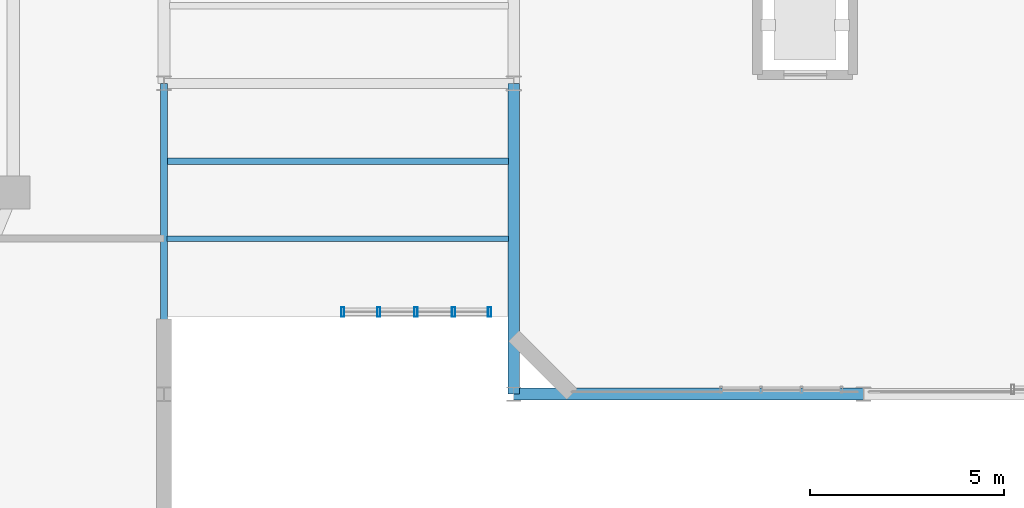
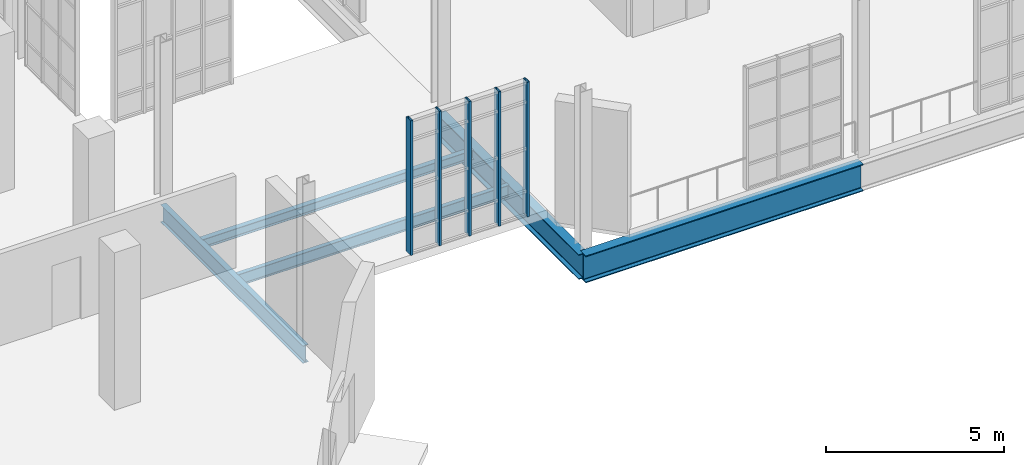
# One storey, part 41 of 189: 5 beams, 5 members, 1 element without a shape of its own.
"""IFC4 building model written with IfcOpenShell, lengths in metres."""

from ifc_helpers import new_model, si_unit, direction, frame, origin, origin_2d, place, context, subcontext, project, spatial, hollow_rectangle, i_section, extrude, material, layer, layer_set, material_profile, profile_set, type_object, element, aggregate, save


model = new_model("IFC4")

# Units and contexts
model_context = context("Model", 3, precision=1e-05, world=origin(), true_north=direction((0.0, 1.0)))
body_context = subcontext(model_context, "Body", "Model", "MODEL_VIEW")
ifc_project = project(units=[si_unit("LENGTHUNIT", "METRE"), si_unit("AREAUNIT", "SQUARE_METRE"), si_unit("VOLUMEUNIT", "CUBIC_METRE"), si_unit("PLANEANGLEUNIT", "RADIAN"), si_unit("MASSUNIT", "GRAM", prefix="KILO"), si_unit("THERMODYNAMICTEMPERATUREUNIT", "KELVIN"), si_unit("POWERUNIT", "WATT")], contexts=[model_context])

# Site, building, storey
site_placement = place(None, origin())
site = spatial("IfcSite", under=ifc_project, at=site_placement, CompositionType="ELEMENT")
building_placement = place(site_placement, origin())
building = spatial("IfcBuilding", under=site, at=building_placement, Name="Zelmaris Science Centre", CompositionType="ELEMENT")
storey_placement = place(building_placement, origin())
storey = spatial("IfcBuildingStorey", under=building, at=storey_placement, Name="L00", CompositionType="ELEMENT", Elevation=0.0)

# Curtain wall, members
ifc_material_1 = material(Name="Anodised architectural aluminium 6063-T6", Category="aluminium")
ifc_layer = layer(ifc_material_1, 0.18994140625, Name="Anodised architectural aluminium 6063-T6")
ifc_layer_set = layer_set([ifc_layer], Name="Anodised architectural aluminium 6063-T6")
curtain_wall_type = type_object("IfcCurtainWallType", Name="Curtain Wall CW-01", PredefinedType="USERDEFINED", material=ifc_layer_set)
curtain_wall_placement = place(storey_placement, origin())
curtain_wall = element("IfcCurtainWall", 1, at=curtain_wall_placement, inside=storey, type_object=curtain_wall_type, Name="L00 Unitised curtain wall 37", ObjectType="GLAZED CURTAIN WALL", PredefinedType="USERDEFINED")
ifc_material_profile_1 = material_profile(ifc_material_1, hollow_rectangle(XDim=0.080078125, YDim=0.25, WallThickness=0.0048828125, at=origin_2d()), Name="ALU-MUL-80X250")
ifc_profile_set_1 = profile_set([ifc_material_profile_1], Name="Anodised architectural aluminium 6063-T6")
member_type = type_object("IfcMemberType", Name="ALU-MUL-80X250", PredefinedType="MULLION", material=ifc_profile_set_1)
member_1_placement = place(storey_placement, frame((53.375732421875, 66.118896484375, -0.014892578125), z_axis=(0.0, 0.0, 1.0), x_axis=(-1.0, 0.0, 0.0)))
member_1 = element("IfcMember", 2, at=member_1_placement, type_object=member_type, Name="CW-01 mullion 1", PredefinedType="MULLION", context=body_context, shape_type="SweptSolid", body=[
    extrude(hollow_rectangle(XDim=0.080078125, YDim=0.25, WallThickness=0.0048828125, at=origin_2d()), origin(), (0.0, 0.0, 1.0), 4.614990234375),
])
member_2_placement = place(storey_placement, frame((52.44873046875, 66.118896484375, -0.014892578125), z_axis=(0.0, 0.0, 1.0), x_axis=(-1.0, 0.0, 0.0)))
member_2 = element("IfcMember", 3, at=member_2_placement, type_object=member_type, Name="CW-01 mullion 2", PredefinedType="MULLION", context=body_context, shape_type="SweptSolid", body=[
    extrude(hollow_rectangle(XDim=0.080078125, YDim=0.25, WallThickness=0.0048828125, at=origin_2d()), origin(), (0.0, 0.0, 1.0), 4.614990234375),
])
member_3_placement = place(storey_placement, frame((51.48583984375, 66.118896484375, -0.014892578125), z_axis=(0.0, 0.0, 1.0), x_axis=(-1.0, 0.0, 0.0)))
member_3 = element("IfcMember", 4, at=member_3_placement, type_object=member_type, Name="CW-01 mullion 3", PredefinedType="MULLION", context=body_context, shape_type="SweptSolid", body=[
    extrude(hollow_rectangle(XDim=0.080078125, YDim=0.25, WallThickness=0.0048828125, at=origin_2d()), origin(), (0.0, 0.0, 1.0), 4.614990234375),
])
member_4_placement = place(storey_placement, frame((50.52294921875, 66.118896484375, -0.014892578125), z_axis=(0.0, 0.0, 1.0), x_axis=(-1.0, 0.0, 0.0)))
member_4 = element("IfcMember", 5, at=member_4_placement, type_object=member_type, Name="CW-01 mullion 4", PredefinedType="MULLION", context=body_context, shape_type="SweptSolid", body=[
    extrude(hollow_rectangle(XDim=0.080078125, YDim=0.25, WallThickness=0.0048828125, at=origin_2d()), origin(), (0.0, 0.0, 1.0), 4.614990234375),
])
member_5_placement = place(storey_placement, frame((49.595947265625, 66.118896484375, -0.014892578125), z_axis=(0.0, 0.0, 1.0), x_axis=(-1.0, 0.0, 0.0)))
member_5 = element("IfcMember", 6, at=member_5_placement, type_object=member_type, Name="CW-01 mullion 5", PredefinedType="MULLION", context=body_context, shape_type="SweptSolid", body=[
    extrude(hollow_rectangle(XDim=0.080078125, YDim=0.25, WallThickness=0.0048828125, at=origin_2d()), origin(), (0.0, 0.0, 1.0), 4.614990234375),
])
aggregate(curtain_wall, [member_1, member_2, member_3, member_4, member_5])

# Beams
ifc_material_2 = material(Name="Steel ASTM A992 Grade 50", Category="steel")
ifc_material_profile_2 = material_profile(ifc_material_2, i_section(OverallWidth=0.306884765625, OverallDepth=0.927001953125, WebThickness=0.019287109375, FlangeThickness=0.031982421875, FilletRadius=0.02392578125, at=origin_2d()), Name="W36X194")
ifc_profile_set_2 = profile_set([ifc_material_profile_2], Name="Steel ASTM A992 Grade 50")
beam_type_1 = type_object("IfcBeamType", Name="Beam G-03 W36X194", PredefinedType="BEAM", material=ifc_profile_set_2)
beam_1_placement = place(storey_placement, frame((54.0, 64.0, -0.743408203125), z_axis=(1.0, 0.0, 0.0), x_axis=(0.0, 1.0, 0.0)))
element("IfcBeam", 7, at=beam_1_placement, inside=storey, type_object=beam_type_1, Name="L00 East-west girder 155", PredefinedType="BEAM", context=body_context, shape_type="SweptSolid", body=[
    extrude(i_section(OverallWidth=0.306884765625, OverallDepth=0.927001953125, WebThickness=0.019287109375, FlangeThickness=0.031982421875, FilletRadius=0.02392578125, at=origin_2d()), origin(), (0.0, 0.0, 1.0), 9.0),
])
ifc_material_profile_3 = material_profile(ifc_material_2, i_section(OverallWidth=0.294921875, OverallDepth=0.85107421875, WebThickness=0.01611328125, FlangeThickness=0.02685546875, FilletRadius=0.02001953125, at=origin_2d()), Name="W33X152")
ifc_profile_set_3 = profile_set([ifc_material_profile_3], Name="Steel ASTM A992 Grade 50")
beam_type_2 = type_object("IfcBeamType", Name="Beam G-06 W33X152", PredefinedType="BEAM", material=ifc_profile_set_3)
beam_2_placement = place(storey_placement, frame((54.0, 64.0, -0.70556640625), z_axis=(0.0, 1.0, 0.0), x_axis=(-1.0, 0.0, 0.0)))
element("IfcBeam", 8, at=beam_2_placement, inside=storey, type_object=beam_type_2, Name="L00 North-south girder 33", PredefinedType="BEAM", context=body_context, shape_type="SweptSolid", body=[
    extrude(i_section(OverallWidth=0.294921875, OverallDepth=0.85107421875, WebThickness=0.01611328125, FlangeThickness=0.02685546875, FilletRadius=0.02001953125, at=origin_2d()), origin(), (0.0, 0.0, 1.0), 8.0),
])
ifc_material_profile_4 = material_profile(ifc_material_2, i_section(OverallWidth=0.177978515625, OverallDepth=0.59912109375, WebThickness=0.010009765625, FlangeThickness=0.0126953125, FilletRadius=0.014892578125, at=origin_2d()), Name="W24X55")
ifc_profile_set_4 = profile_set([ifc_material_profile_4], Name="Steel ASTM A992 Grade 50")
beam_type_3 = type_object("IfcBeamType", Name="Beam G-38 W24X55", PredefinedType="BEAM", material=ifc_profile_set_4)
beam_3_placement = place(storey_placement, frame((45.0, 64.0, -0.57958984375), z_axis=(0.0, 1.0, 0.0), x_axis=(-1.0, 0.0, 0.0)))
element("IfcBeam", 9, at=beam_3_placement, inside=storey, type_object=beam_type_3, Name="L00 North-south girder 27", PredefinedType="BEAM", context=body_context, shape_type="SweptSolid", body=[
    extrude(i_section(OverallWidth=0.177978515625, OverallDepth=0.59912109375, WebThickness=0.010009765625, FlangeThickness=0.0126953125, FilletRadius=0.014892578125, at=origin_2d()), origin(), (0.0, 0.0, 1.0), 8.0),
])
ifc_material_profile_5 = material_profile(ifc_material_2, i_section(OverallWidth=0.139892578125, OverallDepth=0.404052734375, WebThickness=0.007080078125, FlangeThickness=0.01123046875, FilletRadius=0.011962890625, at=origin_2d()), Name="W16X31")
ifc_profile_set_5 = profile_set([ifc_material_profile_5], Name="Steel ASTM A992 Grade 50")
beam_type_4 = type_object("IfcBeamType", Name="Beam J-08 W16X31", PredefinedType="JOIST", material=ifc_profile_set_5)
beam_4_placement = place(storey_placement, frame((45.073974609375, 68.0, -0.48193359375), z_axis=(1.0, 0.0, 0.0), x_axis=(0.0, 1.0, 0.0)))
element("IfcBeam", 10, at=beam_4_placement, inside=storey, type_object=beam_type_4, Name="L00 Composite floor joist 43", PredefinedType="JOIST", context=body_context, shape_type="SweptSolid", body=[
    extrude(i_section(OverallWidth=0.139892578125, OverallDepth=0.404052734375, WebThickness=0.007080078125, FlangeThickness=0.01123046875, FilletRadius=0.011962890625, at=origin_2d()), origin(), (0.0, 0.0, 1.0), 8.79345703125),
])
ifc_material_profile_6 = material_profile(ifc_material_2, i_section(OverallWidth=0.1669921875, OverallDepth=0.318115234375, WebThickness=0.007568359375, FlangeThickness=0.01318359375, FilletRadius=0.011962890625, at=origin_2d()), Name="W12X35")
ifc_profile_set_6 = profile_set([ifc_material_profile_6], Name="Steel ASTM A992 Grade 50")
beam_type_5 = type_object("IfcBeamType", Name="Beam J-09 W12X35", PredefinedType="JOIST", material=ifc_profile_set_6)
beam_5_placement = place(storey_placement, frame((45.073974609375, 70.0, -0.43896484375), z_axis=(1.0, 0.0, 0.0), x_axis=(0.0, 1.0, 0.0)))
element("IfcBeam", 11, at=beam_5_placement, inside=storey, type_object=beam_type_5, Name="L00 Composite floor joist 44", PredefinedType="JOIST", context=body_context, shape_type="SweptSolid", body=[
    extrude(i_section(OverallWidth=0.1669921875, OverallDepth=0.318115234375, WebThickness=0.007568359375, FlangeThickness=0.01318359375, FilletRadius=0.011962890625, at=origin_2d()), origin(), (0.0, 0.0, 1.0), 8.79345703125),
])

save(model, "model.ifc")
